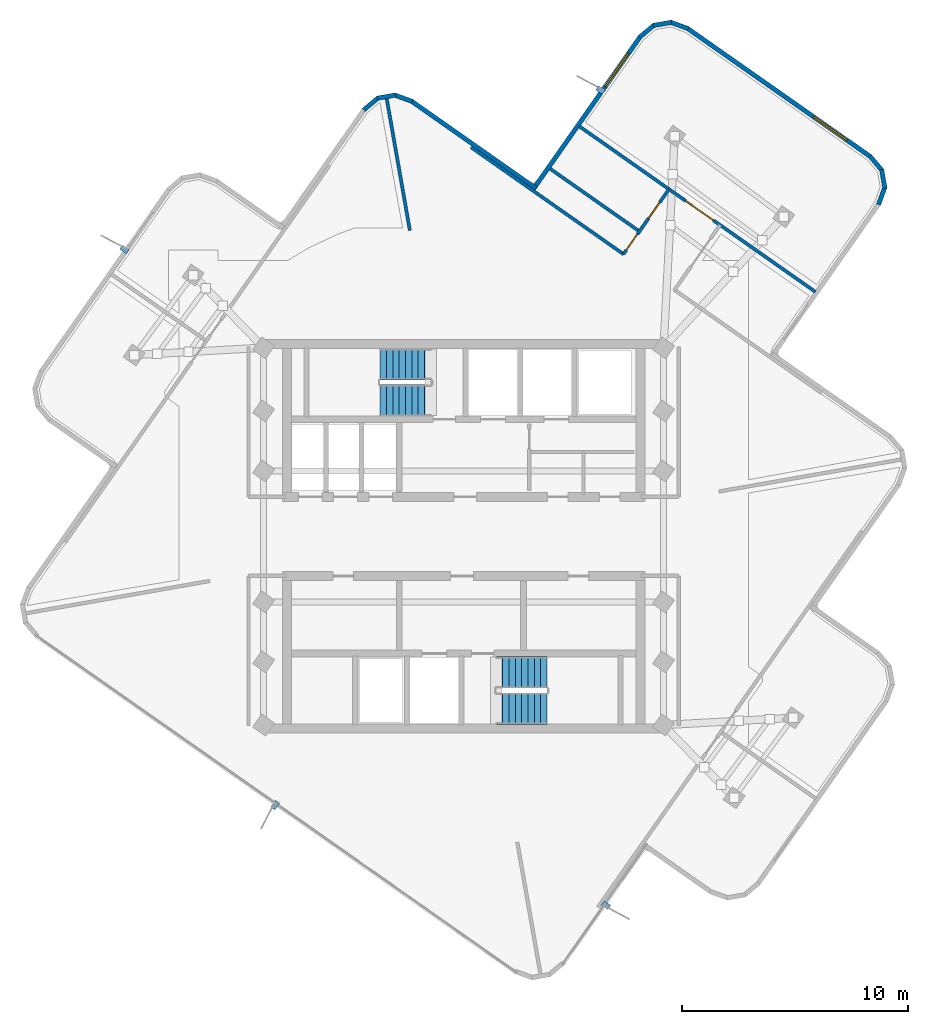
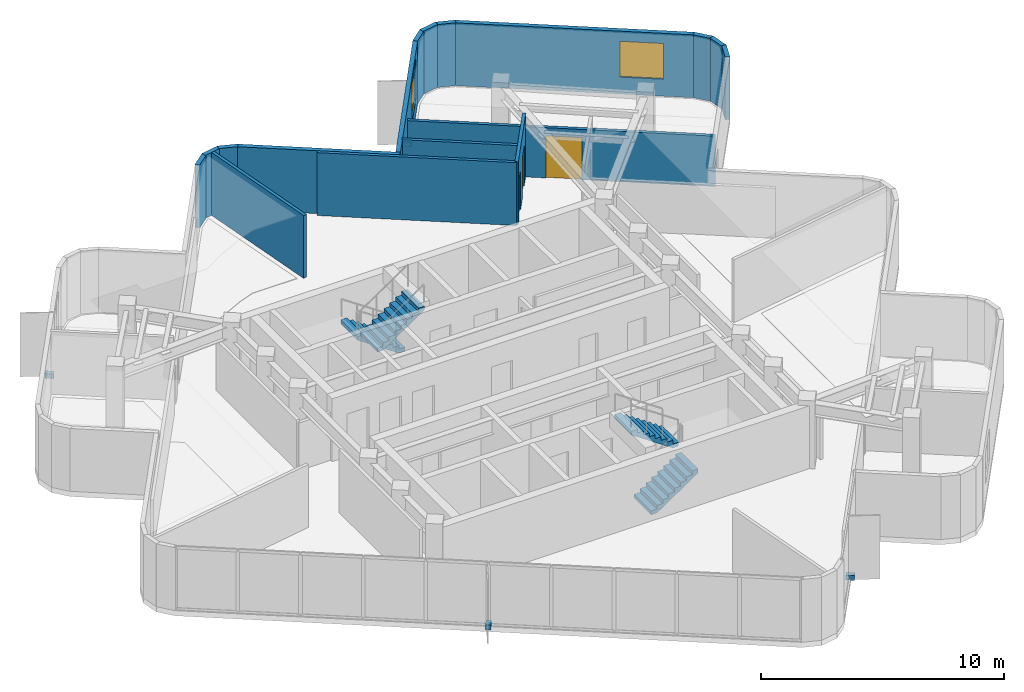
# One storey, part 6 of 8: 17 walls, 4 discrete accessories, 4 stair flights, 3 doors, 2 windows, 5 openings, 2 elements without a shape of their own.
"""IFC4 building model written with IfcOpenShell, lengths in metres."""

from ifc_helpers import new_model, si_unit, direction, frame, frame_2d, origin, origin_2d, place, context, subcontext, project, spatial, polyline, rectangle, outline, extrude, material, layer, layer_set, type_object, element, fill, aggregate, save


model = new_model("IFC4")

# Units and contexts
model_context = context("Model", 3, precision=1e-05, world=origin(), true_north=direction((0.0, 1.0)))
body_context = subcontext(model_context, "Body", "Model", "MODEL_VIEW")
ifc_project = project(units=[si_unit("LENGTHUNIT", "METRE"), si_unit("AREAUNIT", "SQUARE_METRE"), si_unit("VOLUMEUNIT", "CUBIC_METRE"), si_unit("PLANEANGLEUNIT", "RADIAN"), si_unit("MASSUNIT", "GRAM", prefix="KILO")], contexts=[model_context])

# Site, building, storey
site_placement = place(None, origin())
site = spatial("IfcSite", under=ifc_project, at=site_placement, CompositionType="ELEMENT")
building_placement = place(site_placement, origin())
building = spatial("IfcBuilding", under=site, at=building_placement, Name="Solmarez Civic Tower", CompositionType="ELEMENT")
storey_placement = place(building_placement, frame((0.0, 0.0, 264.60009765625)))
storey = spatial("IfcBuildingStorey", under=building, at=storey_placement, Name="L71", CompositionType="ELEMENT", Elevation=264.60009765625)

# Walls
ifc_material_1 = material(Name="Precast concrete C40/50", Category="concrete")
ifc_layer_1 = layer(ifc_material_1, 0.199951171875)
ifc_layer_set_1 = layer_set([ifc_layer_1], Name="Precast concrete C40/50")
wall_type_1 = type_object("IfcWallType", Name="WALL-EXT-200", PredefinedType="SOLIDWALL", material=ifc_layer_set_1)
wall_1_placement = place(storey_placement, frame((-4.422119140625, 18.8720703125, 0.0), z_axis=(0.0, 0.0, 1.0), x_axis=(0.766020352528, 0.642816318642, 0.0)))
element("IfcWall", 1, at=wall_1_placement, inside=storey, type_object=wall_type_1, Name="L71 Exterior Precast Wall 25", PredefinedType="SOLIDWALL", context=body_context, shape_type="SweptSolid", body=[
    extrude(rectangle(XDim=0.838134765625, YDim=0.199951171875, at=frame_2d((0.4189453125, 0.0))), origin(), (0.0, 0.0, 1.0), 3.159912109375),
])
wall_2_placement = place(storey_placement, frame((-3.823974609375, 19.39111328125, 0.0), z_axis=(0.0, 0.0, 1.0), x_axis=(0.985118245285, 0.171877988141, 0.0)))
element("IfcWall", 2, at=wall_2_placement, inside=storey, type_object=wall_type_1, Name="L71 Exterior Precast Wall 26", PredefinedType="SOLIDWALL", context=body_context, shape_type="SweptSolid", body=[
    extrude(rectangle(XDim=0.8251953125, YDim=0.199951171875, at=frame_2d((0.41259765625, 0.0))), origin(), (0.0, 0.0, 1.0), 3.159912109375),
])
wall_3_placement = place(storey_placement, frame((-3.05908203125, 19.5380859375, 0.0), z_axis=(0.0, 0.0, 1.0), x_axis=(0.938939131905, -0.344083284363, 0.0)))
element("IfcWall", 3, at=wall_3_placement, inside=storey, type_object=wall_type_1, Name="L71 Exterior Precast Wall 27", PredefinedType="SOLIDWALL", context=body_context, shape_type="SweptSolid", body=[
    extrude(rectangle(XDim=0.837158203125, YDim=0.199951171875, at=frame_2d((0.41845703125, 0.0))), origin(), (0.0, 0.0, 1.0), 3.159912109375),
])
wall_4_placement = place(storey_placement, frame((-2.31591796875, 19.27294921875, 0.0), z_axis=(0.0, 0.0, 1.0), x_axis=(0.818695592978, -0.574227764949, 0.0)))
element("IfcWall", 4, at=wall_4_placement, inside=storey, type_object=wall_type_1, Name="L71 Exterior Precast Wall 28", PredefinedType="SOLIDWALL", context=body_context, shape_type="SweptSolid", body=[
    extrude(rectangle(XDim=6.740966796875, YDim=0.199951171875, at=frame_2d((3.37060546875, 0.0))), origin(), (0.0, 0.0, 1.0), 3.159912109375),
])

# Wall, opening, window
wall_5_placement = place(storey_placement, frame((3.092041015625, 15.383056640625, 0.0), z_axis=(0.0, 0.0, 1.0), x_axis=(0.574207723227, 0.818709649746, 0.0)))
wall_5 = element("IfcWall", 5, at=wall_5_placement, inside=storey, type_object=wall_type_1, Name="L71 Exterior Precast Wall 31", PredefinedType="SOLIDWALL", context=body_context, shape_type="SweptSolid", body=[
    extrude(rectangle(XDim=8.24072265625, YDim=0.199951171875, at=frame_2d((4.120361328125, 0.0))), origin(), (0.0, 0.0, 1.0), 3.159912109375),
])
opening_1_placement = place(wall_5_placement, frame((5.528076171875, 0.0, 0.85009765625)))
opening_1 = element("IfcOpeningElement", 6, at=opening_1_placement, cuts=wall_5, Name="Opening W-04", PredefinedType="OPENING", context=body_context, shape_type="SweptSolid", body=[
    extrude(rectangle(XDim=1.800048828125, YDim=2.0, at=frame_2d((0.89990234375, 1.0))), frame((0.0, 0.10986328125, 0.0), z_axis=(0.0, -1.0, 0.0), x_axis=(1.0, 0.0, 0.0)), (0.0, 0.0, 1.0), 0.219970703125),
])
ifc_material_2 = material(Name="Solar Control Bronze-Tinted Insulating Glass", Category="glass")
window_type_1 = type_object("IfcWindowType", Name="WIN-1800X2000", PartitioningType="SINGLE_PANEL", PredefinedType="WINDOW", material=ifc_material_2)
window_1_placement = place(opening_1_placement, origin())
window_1 = element("IfcWindow", 7, at=window_1_placement, inside=storey, type_object=window_type_1, Name="L71 Exterior Facade Window 31", OverallHeight=2.0, OverallWidth=1.800048828125, PartitioningType="SINGLE_PANEL", PredefinedType="WINDOW", context=body_context, shape_type="SweptSolid", body=[
    extrude(rectangle(XDim=1.800048828125, YDim=2.0, at=frame_2d((0.89990234375, 1.0))), frame((0.0, 0.030029296875, 0.0), z_axis=(0.0, -1.0, 0.0), x_axis=(1.0, 0.0, 0.0)), (0.0, 0.0, 1.0), 0.06005859375),
])
fill(opening_1, window_1)

# Walls
wall_6_placement = place(storey_placement, frame((7.791015625, 22.093994140625, 0.0), z_axis=(0.0, 0.0, 1.0), x_axis=(0.766450684477, 0.642303159159, 0.0)))
element("IfcWall", 8, at=wall_6_placement, inside=storey, type_object=wall_type_1, Name="L71 Exterior Precast Wall 32", PredefinedType="SOLIDWALL", context=body_context, shape_type="SweptSolid", body=[
    extrude(rectangle(XDim=0.837646484375, YDim=0.199951171875, at=frame_2d((0.4189453125, 0.0))), origin(), (0.0, 0.0, 1.0), 3.159912109375),
])
wall_7_placement = place(storey_placement, frame((8.388916015625, 22.612060546875, 0.0), z_axis=(0.0, 0.0, 1.0), x_axis=(0.985118245285, 0.171877988141, 0.0)))
element("IfcWall", 9, at=wall_7_placement, inside=storey, type_object=wall_type_1, Name="L71 Exterior Precast Wall 33", PredefinedType="SOLIDWALL", context=body_context, shape_type="SweptSolid", body=[
    extrude(rectangle(XDim=0.8251953125, YDim=0.199951171875, at=frame_2d((0.41259765625, 0.0))), origin(), (0.0, 0.0, 1.0), 3.159912109375),
])
wall_8_placement = place(storey_placement, frame((9.154052734375, 22.759033203125, 0.0), z_axis=(0.0, 0.0, 1.0), x_axis=(0.939042573482, -0.343800880145, 0.0)))
element("IfcWall", 10, at=wall_8_placement, inside=storey, type_object=wall_type_1, Name="L71 Exterior Precast Wall 34", PredefinedType="SOLIDWALL", context=body_context, shape_type="SweptSolid", body=[
    extrude(rectangle(XDim=0.837890625, YDim=0.199951171875, at=frame_2d((0.4189453125, 0.0))), origin(), (0.0, 0.0, 1.0), 3.159912109375),
])

# Wall, opening, window
wall_9_placement = place(storey_placement, frame((9.89794921875, 22.493896484375, 0.0), z_axis=(0.0, 0.0, 1.0), x_axis=(0.818760017785, -0.5741359014, 0.0)))
wall_9 = element("IfcWall", 11, at=wall_9_placement, inside=storey, type_object=wall_type_1, Name="L71 Exterior Precast Wall 35", PredefinedType="SOLIDWALL", context=body_context, shape_type="SweptSolid", body=[
    extrude(rectangle(XDim=9.92236328125, YDim=0.199951171875, at=frame_2d((4.961181640625, 0.0))), origin(), (0.0, 0.0, 1.0), 3.159912109375),
])
opening_2_placement = place(wall_9_placement, frame((6.840087890625, 0.0, 0.85009765625)))
opening_2 = element("IfcOpeningElement", 12, at=opening_2_placement, cuts=wall_9, Name="Opening W-08", PredefinedType="OPENING", context=body_context, shape_type="SweptSolid", body=[
    extrude(rectangle(XDim=1.800048828125, YDim=1.800048828125, at=frame_2d((0.89990234375, 0.89990234375))), frame((0.0, 0.10986328125, 0.0), z_axis=(0.0, -1.0, 0.0), x_axis=(1.0, 0.0, 0.0)), (0.0, 0.0, 1.0), 0.219970703125),
])
window_type_2 = type_object("IfcWindowType", Name="WIN-1800X1800", PartitioningType="SINGLE_PANEL", PredefinedType="WINDOW", material=ifc_material_2)
window_2_placement = place(opening_2_placement, origin())
window_2 = element("IfcWindow", 13, at=window_2_placement, inside=storey, type_object=window_type_2, Name="L71 Exterior Facade Window 35", OverallHeight=1.800048828125, OverallWidth=1.800048828125, PartitioningType="SINGLE_PANEL", PredefinedType="WINDOW", context=body_context, shape_type="SweptSolid", body=[
    extrude(rectangle(XDim=1.800048828125, YDim=1.800048828125, at=frame_2d((0.89990234375, 0.89990234375))), frame((0.0, 0.030029296875, 0.0), z_axis=(0.0, -1.0, 0.0), x_axis=(1.0, 0.0, 0.0)), (0.0, 0.0, 1.0), 0.06005859375),
])
fill(opening_2, window_2)

# Walls
wall_10_placement = place(storey_placement, frame((17.986083984375, 16.830078125, 0.0), z_axis=(0.0, 0.0, 1.0), x_axis=(0.642131913787, -0.766594159446, 0.0)))
element("IfcWall", 14, at=wall_10_placement, inside=storey, type_object=wall_type_1, Name="L71 Exterior Precast Wall 36", PredefinedType="SOLIDWALL", context=body_context, shape_type="SweptSolid", body=[
    extrude(rectangle(XDim=0.837646484375, YDim=0.199951171875, at=frame_2d((0.4189453125, 0.0))), origin(), (0.0, 0.0, 1.0), 3.159912109375),
])
wall_11_placement = place(storey_placement, frame((18.50390625, 16.23193359375, 0.0), z_axis=(0.0, 0.0, 1.0), x_axis=(0.172165058078, -0.985068115806, 0.0)))
element("IfcWall", 15, at=wall_11_placement, inside=storey, type_object=wall_type_1, Name="L71 Exterior Precast Wall 37", PredefinedType="SOLIDWALL", context=body_context, shape_type="SweptSolid", body=[
    extrude(rectangle(XDim=0.8251953125, YDim=0.199951171875, at=frame_2d((0.41259765625, 0.0))), origin(), (0.0, 0.0, 1.0), 3.159912109375),
])
wall_12_placement = place(storey_placement, frame((18.65087890625, 15.467041015625, 0.0), z_axis=(0.0, 0.0, 1.0), x_axis=(-0.343826172689, -0.939033313027, 0.0)))
element("IfcWall", 16, at=wall_12_placement, inside=storey, type_object=wall_type_1, Name="L71 Exterior Precast Wall 38", PredefinedType="SOLIDWALL", context=body_context, shape_type="SweptSolid", body=[
    extrude(rectangle(XDim=0.837158203125, YDim=0.199951171875, at=frame_2d((0.41845703125, 0.0))), origin(), (0.0, 0.0, 1.0), 3.159912109375),
])
ifc_material_3 = material(Name="Gypsum Board Acoustic Steel-Stud Partition", Category="steel")
ifc_layer_2 = layer(ifc_material_3, 0.14501953125)
ifc_layer_set_2 = layer_set([ifc_layer_2], Name="Gypsum Board Acoustic Steel-Stud Partition")
wall_type_2 = type_object("IfcWallType", Name="WALL-INT-PART-150", PredefinedType="PARTITIONING", material=ifc_layer_set_2)
wall_13_placement = place(storey_placement, frame((-2.3779296875, 13.5400390625, 0.0), z_axis=(0.0, 0.0, 1.0), x_axis=(-0.173019547247, 0.984918390665, 0.0)))
element("IfcWall", 17, at=wall_13_placement, inside=storey, type_object=wall_type_2, Name="L71 Interior Partition PT-L71-QDIV-1", PredefinedType="PARTITIONING", context=body_context, shape_type="SweptSolid", body=[
    extrude(rectangle(XDim=5.947509765625, YDim=0.14501953125, at=frame_2d((2.9736328125, 0.0))), origin(), (0.0, 0.0, 1.0), 3.159912109375),
])
wall_14_placement = place(storey_placement, frame((7.0830078125, 12.487060546875, 0.0), z_axis=(0.0, 0.0, 1.0), x_axis=(-0.818818791344, 0.574052076855, 0.0)))
element("IfcWall", 18, at=wall_14_placement, inside=storey, type_object=wall_type_2, Name="L71 Interior Partition PT-L71-E-EFL", PredefinedType="PARTITIONING", context=body_context, shape_type="SweptSolid", body=[
    extrude(rectangle(XDim=8.249755859375, YDim=0.14501953125, at=frame_2d((4.125, 0.0))), origin(), (0.0, 0.0, 1.0), 3.159912109375),
])
wall_15_placement = place(storey_placement, frame((7.764892578125, 13.510986328125, 0.0), z_axis=(0.0, 0.0, 1.0), x_axis=(-0.818761977847, 0.574133106198, 0.0)))
element("IfcWall", 19, at=wall_15_placement, inside=storey, type_object=wall_type_2, Name="L71 Interior Partition PT-L71-E-LM", PredefinedType="PARTITIONING", context=body_context, shape_type="SweptSolid", body=[
    extrude(rectangle(XDim=4.83544921875, YDim=0.14501953125, at=frame_2d((2.417724609375, 0.0))), origin(), (0.0, 0.0, 1.0), 3.159912109375),
])

# Wall, openings, doors
wall_16_placement = place(storey_placement, frame((9.090087890625, 15.365966796875, 0.0), z_axis=(0.0, 0.0, 1.0), x_axis=(-0.574097025606, -0.81878727713, 0.0)))
wall_16 = element("IfcWall", 20, at=wall_16_placement, inside=storey, type_object=wall_type_2, Name="L71 Interior Partition PT-L71-E-SL", PredefinedType="PARTITIONING", context=body_context, shape_type="SweptSolid", body=[
    extrude(rectangle(XDim=3.510009765625, YDim=0.14501953125, at=frame_2d((1.7548828125, 0.0))), origin(), (0.0, 0.0, 1.0), 3.159912109375),
])
opening_3_placement = place(wall_16_placement, frame((2.429931640625, 0.0, 0.0)))
opening_3 = element("IfcOpeningElement", 21, at=opening_3_placement, cuts=wall_16, Name="Opening D-14", PredefinedType="OPENING", context=body_context, shape_type="SweptSolid", body=[
    extrude(rectangle(XDim=0.860107421875, YDim=2.0400390625, at=frame_2d((0.43017578125, 1.02001953125))), frame((0.0, 0.08251953125, 0.0), z_axis=(0.0, -1.0, 0.0), x_axis=(1.0, 0.0, 0.0)), (0.0, 0.0, 1.0), 0.1650390625),
])
opening_4_placement = place(wall_16_placement, frame((0.7099609375, 0.0, 0.0)))
opening_4 = element("IfcOpeningElement", 22, at=opening_4_placement, cuts=wall_16, Name="Opening D-14", PredefinedType="OPENING", context=body_context, shape_type="SweptSolid", body=[
    extrude(rectangle(XDim=0.860107421875, YDim=2.0400390625, at=frame_2d((0.43017578125, 1.02001953125))), frame((0.0, 0.08251953125, 0.0), z_axis=(0.0, -1.0, 0.0), x_axis=(1.0, 0.0, 0.0)), (0.0, 0.0, 1.0), 0.1650390625),
])
ifc_material_4 = material(Name="Timber Storage and Pantry Door", Category="wood")
door_type_1 = type_object("IfcDoorType", Name="DOOR-INT-850", OperationType="NOTDEFINED", PredefinedType="DOOR", material=ifc_material_4)
door_1_placement = place(opening_3_placement, origin())
door_1 = element("IfcDoor", 23, at=door_1_placement, inside=storey, type_object=door_type_1, Name="L71 Executive Chamber Executive Boardroom First East Door", OperationType="SINGLE_SWING_LEFT", OverallHeight=2.0400390625, OverallWidth=0.860107421875, PredefinedType="DOOR", context=body_context, shape_type="SweptSolid", body=[
    extrude(rectangle(XDim=0.860107421875, YDim=2.0400390625, at=frame_2d((0.43017578125, 1.02001953125))), frame((0.0, 0.02490234375, 0.0), z_axis=(0.0, -1.0, 0.0), x_axis=(1.0, 0.0, 0.0)), (0.0, 0.0, 1.0), 0.050048828125),
])
fill(opening_3, door_1)
door_2_placement = place(opening_4_placement, origin())
door_2 = element("IfcDoor", 24, at=door_2_placement, inside=storey, type_object=door_type_1, Name="L71 Diplomatic Sitting Lounge Second East Door", OperationType="SINGLE_SWING_RIGHT", OverallHeight=2.0400390625, OverallWidth=0.860107421875, PredefinedType="DOOR", context=body_context, shape_type="SweptSolid", body=[
    extrude(rectangle(XDim=0.860107421875, YDim=2.0400390625, at=frame_2d((0.43017578125, 1.02001953125))), frame((0.0, 0.02490234375, 0.0), z_axis=(0.0, -1.0, 0.0), x_axis=(1.0, 0.0, 0.0)), (0.0, 0.0, 1.0), 0.050048828125),
])
fill(opening_4, door_2)

# Wall, opening, door
wall_17_placement = place(storey_placement, frame((5.114990234375, 18.154052734375, 0.0), z_axis=(0.0, 0.0, 1.0), x_axis=(0.818735813326, -0.574170417191, 0.0)))
wall_17 = element("IfcWall", 25, at=wall_17_placement, inside=storey, type_object=wall_type_2, Name="L71 Interior Partition PT-L71-E-END", PredefinedType="PARTITIONING", context=body_context, shape_type="SweptSolid", body=[
    extrude(rectangle(XDim=12.769775390625, YDim=0.14501953125, at=frame_2d((6.384765625, 0.0))), origin(), (0.0, 0.0, 1.0), 2.52978515625),
])
opening_5_placement = place(wall_17_placement, frame((5.760009765625, 0.0, 0.0)))
opening_5 = element("IfcOpeningElement", 26, at=opening_5_placement, cuts=wall_17, Name="Opening D-16", PredefinedType="OPENING", context=body_context, shape_type="SweptSolid", body=[
    extrude(rectangle(XDim=1.5, YDim=2.1201171875, at=frame_2d((0.75, 1.06005859375))), frame((0.0, 0.08251953125, 0.0), z_axis=(0.0, -1.0, 0.0), x_axis=(1.0, 0.0, 0.0)), (0.0, 0.0, 1.0), 0.1650390625),
])
ifc_material_5 = material(Name="Diplomatic Protocol Reception Door", Category="wood")
door_type_2 = type_object("IfcDoorType", Name="DOOR-INT-1500", OperationType="NOTDEFINED", PredefinedType="DOOR", material=ifc_material_5)
door_3_placement = place(opening_5_placement, origin())
door_3 = element("IfcDoor", 27, at=door_3_placement, inside=storey, type_object=door_type_2, Name="L71 Protocol Reception Room Fifth East Door", OperationType="SINGLE_SWING_LEFT", OverallHeight=2.1201171875, OverallWidth=1.5, PredefinedType="DOOR", context=body_context, shape_type="SweptSolid", body=[
    extrude(rectangle(XDim=1.5, YDim=2.1201171875, at=frame_2d((0.75, 1.06005859375))), frame((0.0, 0.02490234375, 0.0), z_axis=(0.0, -1.0, 0.0), x_axis=(1.0, 0.0, 0.0)), (0.0, 0.0, 1.0), 0.050048828125),
])
fill(opening_5, door_3)

# Stair, stair flights
ifc_material_6 = material(Name="Concrete C50/60", Category="concrete")
stair_type = type_object("IfcStairType", Name="STAIR-DOGLEG-140W-18R-1900", PredefinedType="HALF_TURN_STAIR", material=ifc_material_6)
stair_1_placement = place(storey_placement, origin())
stair_1 = element("IfcStair", 28, at=stair_1_placement, inside=storey, type_object=stair_type, Name="L71 North Core Protected Exit Stair ST-1", PredefinedType="HALF_TURN_STAIR")
stair_flight_type = type_object("IfcStairFlightType", Name="FLIGHT-DOGLEG-140W-9R-1900", PredefinedType="STRAIGHT", material=ifc_material_6)
stair_flight_1_placement = place(storey_placement, frame((-1.449951171875, 7.6201171875, 0.0), z_axis=(0.0, 0.0, 1.0), x_axis=(-1.0, 0.0, 0.0)))
stair_flight_1 = element("IfcStairFlight", 29, at=stair_flight_1_placement, type_object=stair_flight_type, Name="ST-1 flight 1", NumberOfRisers=9, NumberOfTreads=8, PredefinedType="STRAIGHT", RiserHeight=0.19, TreadLength=0.28, context=body_context, shape_type="SweptSolid", body=[
    extrude(outline(polyline([(0.0, 0.0), (0.0, 0.18994140625), (0.280029296875, 0.18994140625), (0.280029296875, 0.3798828125), (0.56005859375, 0.3798828125), (0.56005859375, 0.570068359375), (0.840087890625, 0.570068359375), (0.840087890625, 0.760009765625), (1.1201171875, 0.760009765625), (1.1201171875, 0.949951171875), (1.39990234375, 0.949951171875), (1.39990234375, 1.139892578125), (1.679931640625, 1.139892578125), (1.679931640625, 1.330078125), (1.9599609375, 1.330078125), (1.9599609375, 1.52001953125), (2.239990234375, 1.52001953125), (2.239990234375, 1.7099609375), (2.239990234375, 1.32666015625), (0.284912109375, 0.0), (0.0, 0.0)])), frame((0.0, 0.699951171875, 0.0), z_axis=(0.0, -1.0, 0.0), x_axis=(1.0, 0.0, 0.0)), (0.0, 0.0, 1.0), 1.39990234375),
])
stair_flight_2_placement = place(storey_placement, frame((-3.68994140625, 6.02001953125, 1.7099609375), z_axis=(0.0, 0.0, 1.0), x_axis=(1.0, 0.0, 0.0)))
stair_flight_2 = element("IfcStairFlight", 30, at=stair_flight_2_placement, type_object=stair_flight_type, Name="ST-1 flight 2", NumberOfRisers=9, NumberOfTreads=8, PredefinedType="STRAIGHT", RiserHeight=0.19, TreadLength=0.28, context=body_context, shape_type="SweptSolid", body=[
    extrude(outline(polyline([(0.0, 0.0), (0.0, 0.18994140625), (0.280029296875, 0.18994140625), (0.280029296875, 0.3798828125), (0.56005859375, 0.3798828125), (0.56005859375, 0.570068359375), (0.840087890625, 0.570068359375), (0.840087890625, 0.760009765625), (1.1201171875, 0.760009765625), (1.1201171875, 0.949951171875), (1.39990234375, 0.949951171875), (1.39990234375, 1.139892578125), (1.679931640625, 1.139892578125), (1.679931640625, 1.330078125), (1.9599609375, 1.330078125), (1.9599609375, 1.52001953125), (2.239990234375, 1.52001953125), (2.239990234375, 1.7099609375), (2.239990234375, 1.32666015625), (0.284912109375, 0.0), (0.0, 0.0)])), frame((0.0, 0.699951171875, 0.0), z_axis=(0.0, -1.0, 0.0), x_axis=(1.0, 0.0, 0.0)), (0.0, 0.0, 1.0), 1.39990234375),
])
aggregate(stair_1, [stair_flight_1, stair_flight_2])

stair_2_placement = place(storey_placement, origin())
stair_2 = element("IfcStair", 31, at=stair_2_placement, inside=storey, type_object=stair_type, Name="L71 South Core Protected Exit Stair ST-2", PredefinedType="HALF_TURN_STAIR")
stair_flight_3_placement = place(storey_placement, frame((1.449951171875, -7.6201171875, 0.0), z_axis=(0.0, 0.0, 1.0), x_axis=(1.0, 0.0, 0.0)))
stair_flight_3 = element("IfcStairFlight", 32, at=stair_flight_3_placement, type_object=stair_flight_type, Name="ST-2 flight 1", NumberOfRisers=9, NumberOfTreads=8, PredefinedType="STRAIGHT", RiserHeight=0.19, TreadLength=0.28, context=body_context, shape_type="SweptSolid", body=[
    extrude(outline(polyline([(0.0, 0.0), (0.0, 0.18994140625), (0.280029296875, 0.18994140625), (0.280029296875, 0.3798828125), (0.56005859375, 0.3798828125), (0.56005859375, 0.570068359375), (0.840087890625, 0.570068359375), (0.840087890625, 0.760009765625), (1.1201171875, 0.760009765625), (1.1201171875, 0.949951171875), (1.39990234375, 0.949951171875), (1.39990234375, 1.139892578125), (1.679931640625, 1.139892578125), (1.679931640625, 1.330078125), (1.9599609375, 1.330078125), (1.9599609375, 1.52001953125), (2.239990234375, 1.52001953125), (2.239990234375, 1.7099609375), (2.239990234375, 1.32666015625), (0.284912109375, 0.0), (0.0, 0.0)])), frame((0.0, 0.699951171875, 0.0), z_axis=(0.0, -1.0, 0.0), x_axis=(1.0, 0.0, 0.0)), (0.0, 0.0, 1.0), 1.39990234375),
])
stair_flight_4_placement = place(storey_placement, frame((3.68994140625, -6.02001953125, 1.7099609375), z_axis=(0.0, 0.0, 1.0), x_axis=(-1.0, 0.0, 0.0)))
stair_flight_4 = element("IfcStairFlight", 33, at=stair_flight_4_placement, type_object=stair_flight_type, Name="ST-2 flight 2", NumberOfRisers=9, NumberOfTreads=8, PredefinedType="STRAIGHT", RiserHeight=0.19, TreadLength=0.28, context=body_context, shape_type="SweptSolid", body=[
    extrude(outline(polyline([(0.0, 0.0), (0.0, 0.18994140625), (0.280029296875, 0.18994140625), (0.280029296875, 0.3798828125), (0.56005859375, 0.3798828125), (0.56005859375, 0.570068359375), (0.840087890625, 0.570068359375), (0.840087890625, 0.760009765625), (1.1201171875, 0.760009765625), (1.1201171875, 0.949951171875), (1.39990234375, 0.949951171875), (1.39990234375, 1.139892578125), (1.679931640625, 1.139892578125), (1.679931640625, 1.330078125), (1.9599609375, 1.330078125), (1.9599609375, 1.52001953125), (2.239990234375, 1.52001953125), (2.239990234375, 1.7099609375), (2.239990234375, 1.32666015625), (0.284912109375, 0.0), (0.0, 0.0)])), frame((0.0, 0.699951171875, 0.0), z_axis=(0.0, -1.0, 0.0), x_axis=(1.0, 0.0, 0.0)), (0.0, 0.0, 1.0), 1.39990234375),
])
aggregate(stair_2, [stair_flight_3, stair_flight_4])

# Discrete accessories
ifc_material_7 = material(Name="Stainless Steel Grade 1.4401", Category="steel")
discrete_accessory_type = type_object("IfcDiscreteAccessoryType", Name="BRACKET-SS-FIN", PredefinedType="BRACKET", material=ifc_material_7)
for number, where, z_axis, x_axis, name in (
    (34, (6.303955078125, -16.31689453125, -0.06005859375), (0.0, 0.0, 1.0), (0.818682941275, -0.574245802479, 0.0), "L71 Stainless Fin Support Bracket FIN-L71-01"),
    (35, (-8.342041015625, -11.89599609375, -0.06005859375), (0.0, 0.0, 1.0), (-0.574167668182, -0.818737741169, 0.0), "L71 Stainless Fin Support Bracket FIN-L71-02"),
    (36, (-15.010009765625, 12.697998046875, -0.06005859375), (0.0, 0.0, 1.0), (-0.818746299532, 0.57415546414, 0.0), "L71 Stainless Fin Support Bracket FIN-L71-03"),
    (37, (6.056884765625, 19.75, -0.06005859375), (0.0, 0.0, 1.0), (-0.818735079432, 0.574171463683, 0.0), "L71 Stainless Fin Support Bracket FIN-L71-04"),
):
    element("IfcDiscreteAccessory", number, at=place(storey_placement, frame(where, z_axis=z_axis, x_axis=x_axis)), inside=storey, type_object=discrete_accessory_type, Name=name, PredefinedType="BRACKET", context=body_context, shape_type="SweptSolid", body=[
        extrude(rectangle(XDim=0.360107421875, YDim=0.219970703125, at=origin_2d()), origin(), (0.0, 0.0, 1.0), 0.239990234375),
    ])

save(model, "model.ifc")
